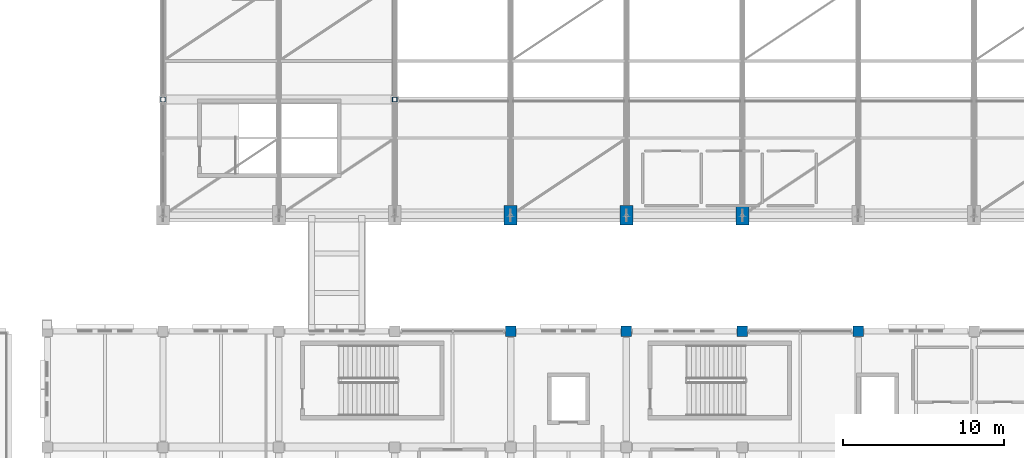
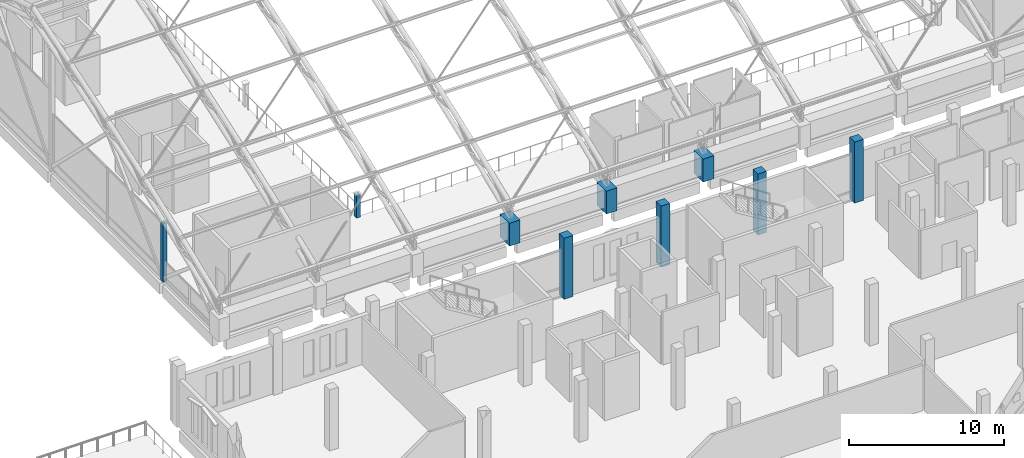
# One storey, part 4 of 116: 9 columns.
"""IFC4 building model written with IfcOpenShell, lengths in metres."""

from ifc_helpers import new_model, si_unit, direction, frame, origin, origin_2d, place, context, subcontext, project, spatial, rectangle, hollow_rectangle, extrude, material, material_profile, profile_set, type_object, element, save


model = new_model("IFC4")

# Units and contexts
model_context = context("Model", 3, precision=1e-05, world=origin(), true_north=direction((0.0, 1.0)))
body_context = subcontext(model_context, "Body", "Model", "MODEL_VIEW")
ifc_project = project(units=[si_unit("LENGTHUNIT", "METRE"), si_unit("AREAUNIT", "SQUARE_METRE"), si_unit("VOLUMEUNIT", "CUBIC_METRE"), si_unit("PLANEANGLEUNIT", "RADIAN"), si_unit("MASSUNIT", "GRAM", prefix="KILO")], contexts=[model_context])

# Site, building, storey
site_placement = place(None, origin())
site = spatial("IfcSite", under=ifc_project, at=site_placement, CompositionType="ELEMENT")
building_placement = place(site_placement, origin())
building = spatial("IfcBuilding", under=site, at=building_placement, Name="Cendralis Lancet Convention Centre", CompositionType="ELEMENT")
storey_placement = place(building_placement, frame((0.0, 0.0, 15.0)))
storey = spatial("IfcBuildingStorey", under=building, at=storey_placement, Name="L03", CompositionType="ELEMENT", Elevation=15.0)

# Columns
ifc_material_1 = material(Name="Concrete G40 (C40/50)", Category="concrete")
ifc_material_profile_1 = material_profile(ifc_material_1, rectangle(XDim=0.64990234375, YDim=0.64990234375, at=origin_2d()), Name="RC 650x650")
ifc_profile_set_1 = profile_set([ifc_material_profile_1], Name="Concrete G40 (C40/50)")
column_type_1 = type_object("IfcColumnType", Name="STR-COL-C08", PredefinedType="COLUMN", material=ifc_profile_set_1)
for number, where, z_axis, x_axis, name in (
    (1, (160.800048828125, 36.0, 0.0), (0.0, 0.0, 1.0), (1.0, 0.0, 0.0), "L03 Column C08 at 160.8,36.0"),
    (2, (168.0, 36.0, 0.0), (0.0, 0.0, 1.0), (1.0, 0.0, 0.0), "L03 Column C08 at 168.0,36.0"),
    (3, (175.199951171875, 36.0, 0.0), (0.0, 0.0, 1.0), (1.0, 0.0, 0.0), "L03 Column C08 at 175.2,36.0"),
    (4, (182.39990234375, 36.0, 0.0), (0.0, 0.0, 1.0), (1.0, 0.0, 0.0), "L03 Column C08 at 182.4,36.0"),
):
    element("IfcColumn", number, at=place(storey_placement, frame(where, z_axis=z_axis, x_axis=x_axis)), inside=storey, type_object=column_type_1, Name=name, PredefinedType="COLUMN", context=body_context, shape_type="SweptSolid", body=[
        extrude(rectangle(XDim=0.64990234375, YDim=0.64990234375, at=origin_2d()), origin(), (0.0, 0.0, 1.0), 4.800048828125),
    ])
ifc_material_profile_2 = material_profile(ifc_material_1, rectangle(XDim=0.800048828125, YDim=1.199951171875, at=origin_2d()), Name="RC 800x1200")
ifc_profile_set_2 = profile_set([ifc_material_profile_2], Name="Concrete G40 (C40/50)")
column_type_2 = type_object("IfcColumnType", Name="STR-COL-C15", PredefinedType="COLUMN", material=ifc_profile_set_2)
for number, where, z_axis, x_axis, name in (
    (5, (160.800048828125, 43.199951171875, 0.0), (0.0, 0.0, 1.0), (1.0, 0.0, 0.0), "L03 Column C15 at 160.8,43.2"),
    (6, (168.0, 43.199951171875, 0.0), (0.0, 0.0, 1.0), (1.0, 0.0, 0.0), "L03 Column C15 at 168.0,43.2"),
    (7, (175.199951171875, 43.199951171875, 0.0), (0.0, 0.0, 1.0), (1.0, 0.0, 0.0), "L03 Column C15 at 175.2,43.2"),
):
    element("IfcColumn", number, at=place(storey_placement, frame(where, z_axis=z_axis, x_axis=x_axis)), inside=storey, type_object=column_type_2, Name=name, PredefinedType="COLUMN", context=body_context, shape_type="SweptSolid", body=[
        extrude(rectangle(XDim=0.800048828125, YDim=1.199951171875, at=origin_2d()), origin(), (0.0, 0.0, 1.0), 1.800048828125),
    ])
ifc_material_2 = material(Name="Steel S355", Category="steel")
ifc_material_profile_3 = material_profile(ifc_material_2, hollow_rectangle(XDim=0.300048828125, YDim=0.300048828125, WallThickness=0.01611328125, at=origin_2d()), Name="SHS 300x300x16.0")
ifc_profile_set_3 = profile_set([ifc_material_profile_3], Name="Steel S355")
column_type_3 = type_object("IfcColumnType", Name="STR-COL-C30", PredefinedType="COLUMN", material=ifc_profile_set_3)
column_1_placement = place(storey_placement, frame((139.199951171875, 50.39990234375, 0.0), z_axis=(0.0, 0.0, 1.0), x_axis=(1.0, 0.0, 0.0)))
element("IfcColumn", 8, at=column_1_placement, inside=storey, type_object=column_type_3, Name="L03 Column C30 at 139.2,50.4", PredefinedType="COLUMN", context=body_context, shape_type="SweptSolid", body=[
    extrude(hollow_rectangle(XDim=0.300048828125, YDim=0.300048828125, WallThickness=0.01611328125, at=origin_2d()), origin(), (0.0, 0.0, 1.0), 4.596923828125),
])
ifc_material_profile_4 = material_profile(ifc_material_2, hollow_rectangle(XDim=0.300048828125, YDim=0.300048828125, WallThickness=0.01611328125, at=origin_2d()), Name="SHS 300x300x16.0")
ifc_profile_set_4 = profile_set([ifc_material_profile_4], Name="Steel S355")
column_type_4 = type_object("IfcColumnType", Name="STR-COL-C30-INT", PredefinedType="COLUMN", material=ifc_profile_set_4)
column_2_placement = place(storey_placement, frame((153.60009765625, 50.39990234375, 0.0), z_axis=(0.0, 0.0, 1.0), x_axis=(1.0, 0.0, 0.0)))
element("IfcColumn", 9, at=column_2_placement, inside=storey, type_object=column_type_4, Name="L03 Column C30 at 153.6,50.4", PredefinedType="COLUMN", context=body_context, shape_type="SweptSolid", body=[
    extrude(hollow_rectangle(XDim=0.300048828125, YDim=0.300048828125, WallThickness=0.01611328125, at=origin_2d()), origin(), (0.0, 0.0, 1.0), 1.800048828125),
])

save(model, "model.ifc")
